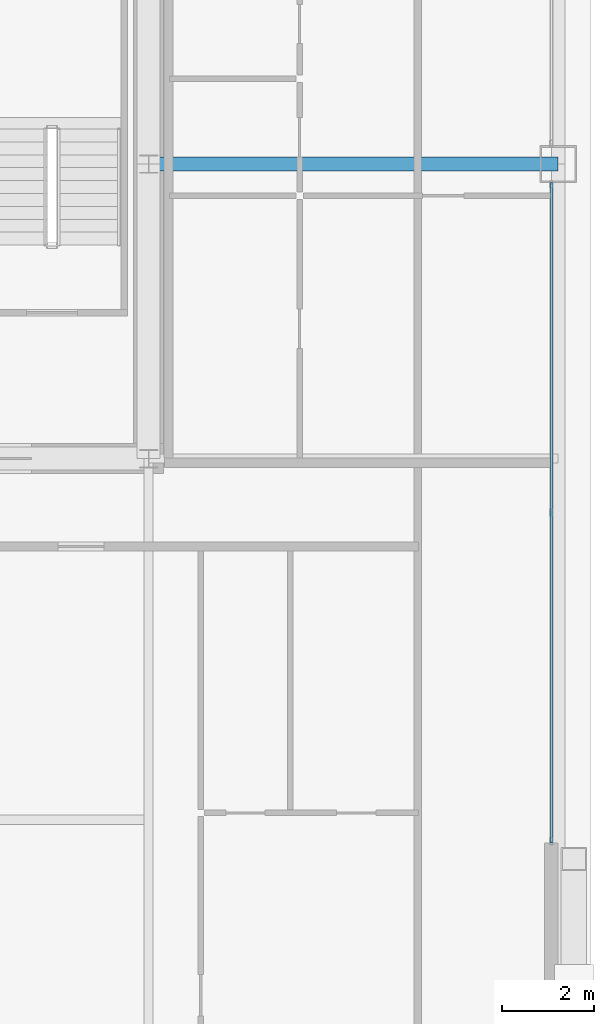
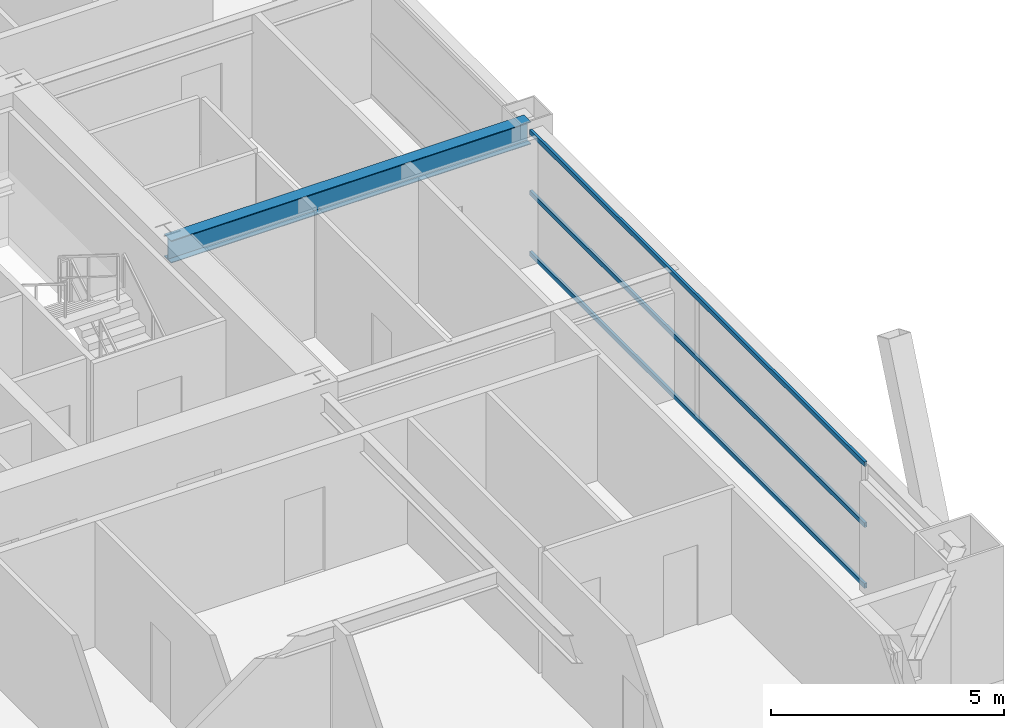
# One storey, part 25 of 45: 3 members, 1 beam, 1 element without a shape of its own.
"""IFC4 building model written with IfcOpenShell, lengths in metres."""

from ifc_helpers import new_model, si_unit, direction, frame, origin, origin_2d, place, context, subcontext, project, spatial, hollow_rectangle, i_section, extrude, source, transform, mapped, material, layer, layer_set, material_profile, profile_set, type_object, element, aggregate, save


model = new_model("IFC4")

# Units and contexts
model_context = context("Model", 3, precision=1e-05, world=origin(), true_north=direction((0.0, 1.0)))
body_context = subcontext(model_context, "Body", "Model", "MODEL_VIEW")
ifc_project = project(units=[si_unit("LENGTHUNIT", "METRE"), si_unit("AREAUNIT", "SQUARE_METRE"), si_unit("VOLUMEUNIT", "CUBIC_METRE"), si_unit("PLANEANGLEUNIT", "RADIAN"), si_unit("MASSUNIT", "GRAM", prefix="KILO"), si_unit("THERMODYNAMICTEMPERATUREUNIT", "KELVIN"), si_unit("POWERUNIT", "WATT")], contexts=[model_context])

# Site, building, storey
site_placement = place(None, origin())
site = spatial("IfcSite", under=ifc_project, at=site_placement, CompositionType="ELEMENT")
building_placement = place(site_placement, origin())
building = spatial("IfcBuilding", under=site, at=building_placement, Name="Yuzanri Waterfront Tower", CompositionType="ELEMENT")
storey_placement = place(building_placement, frame((0.0, 0.0, 198.5)))
storey = spatial("IfcBuildingStorey", under=building, at=storey_placement, Name="L52", CompositionType="ELEMENT", Elevation=198.5)

# Beam
ifc_material_1 = material(Name="Steel Q355B", Category="steel")
ifc_material_profile_1 = material_profile(ifc_material_1, i_section(OverallWidth=0.300048828125, OverallDepth=0.587890625, WebThickness=0.011962890625, FlangeThickness=0.02001953125, at=origin_2d()), Name="HM 588x300x12x20")
ifc_profile_set_1 = profile_set([ifc_material_profile_1], Name="Steel Q355B")
beam_type = type_object("IfcBeamType", Name="Primary Floor Girder Q355B HM 588x300", PredefinedType="BEAM", material=ifc_profile_set_1)
shared_shape_1 = source(origin(), body_context, "Body", "SweptSolid", [
    extrude(i_section(OverallWidth=0.300048828125, OverallDepth=0.587890625, WebThickness=0.011962890625, FlangeThickness=0.02001953125, at=origin_2d()), origin(), (0.0, 0.0, 1.0), 8.900146484375),
])
beam_placement = place(storey_placement, frame((50.199951171875, 25.800048828125, 2.986083984375), z_axis=(1.0, 0.0, 0.0), x_axis=(0.0, 1.0, 0.0)))
element("IfcBeam", 1, at=beam_placement, inside=storey, type_object=beam_type, Name="L52 East Grid Girder", PredefinedType="BEAM", context=body_context, shape_type="MappedRepresentation", body=[
    mapped(shared_shape_1, transform((0.0, 0.0, 0.0), scale=1.0)),
])

# Curtain wall, members
ifc_material_2 = material(Name="Anodized Architectural Bronze", Category="metal")
ifc_layer = layer(ifc_material_2, 0.159912109375)
ifc_layer_set = layer_set([ifc_layer], Name="Anodized Architectural Bronze")
curtain_wall_type = type_object("IfcCurtainWallType", Name="Anodized Bronze Mid-Rise Residential Acoustic Unitized Curtain Wall 7200", PredefinedType="NOTDEFINED", material=ifc_layer_set)
curtain_wall_placement = place(storey_placement, origin())
curtain_wall = element("IfcCurtainWall", 2, at=curtain_wall_placement, inside=storey, type_object=curtain_wall_type, Name="L52 Curtain Wall CW-L52-EL", PredefinedType="NOTDEFINED")
ifc_material_3 = material(Name="Anodized Architectural Bronze", Category="metal")
ifc_material_profile_2 = material_profile(ifc_material_3, hollow_rectangle(XDim=0.06494140625, YDim=0.1201171875, WallThickness=0.00341796875, at=origin_2d()), Name="CWT 65x120")
ifc_profile_set_2 = profile_set([ifc_material_profile_2], Name="Anodized Architectural Bronze")
member_type = type_object("IfcMemberType", Name="Anodized Bronze Secondary Curtain-Wall Transom 65x120", PredefinedType="USERDEFINED", material=ifc_profile_set_2)
shared_shape_2 = source(origin(), body_context, "Body", "SweptSolid", [
    extrude(hollow_rectangle(XDim=0.06494140625, YDim=0.1201171875, WallThickness=0.00341796875, at=origin_2d()), origin(), (0.0, 0.0, 1.0), 14.349853515625),
])
member_1_placement = place(storey_placement, frame((58.949951171875, 11.050048828125, 0.050048828125), z_axis=(0.0, 1.0, 0.0), x_axis=(-1.0, 0.0, 0.0)))
member_1 = element("IfcMember", 3, at=member_1_placement, type_object=member_type, Name="CW-L52-EL Transom 1", ObjectType="TRANSOM", PredefinedType="USERDEFINED", context=body_context, shape_type="MappedRepresentation", body=[
    mapped(shared_shape_2, transform((0.0, 0.0, 0.0), scale=1.0)),
])
member_2_placement = place(storey_placement, frame((58.949951171875, 11.050048828125, 1.639892578125), z_axis=(0.0, 1.0, 0.0), x_axis=(-1.0, 0.0, 0.0)))
member_2 = element("IfcMember", 4, at=member_2_placement, type_object=member_type, Name="CW-L52-EL Transom 2", ObjectType="TRANSOM", PredefinedType="USERDEFINED", context=body_context, shape_type="MappedRepresentation", body=[
    mapped(shared_shape_2, transform((0.0, 0.0, 0.0), scale=1.0)),
])
member_3_placement = place(storey_placement, frame((58.949951171875, 11.050048828125, 3.22998046875), z_axis=(0.0, 1.0, 0.0), x_axis=(-1.0, 0.0, 0.0)))
member_3 = element("IfcMember", 5, at=member_3_placement, type_object=member_type, Name="CW-L52-EL Transom 3", ObjectType="TRANSOM", PredefinedType="USERDEFINED", context=body_context, shape_type="MappedRepresentation", body=[
    mapped(shared_shape_2, transform((0.0, 0.0, 0.0), scale=1.0)),
])
aggregate(curtain_wall, [member_1, member_2, member_3])

save(model, "model.ifc")
